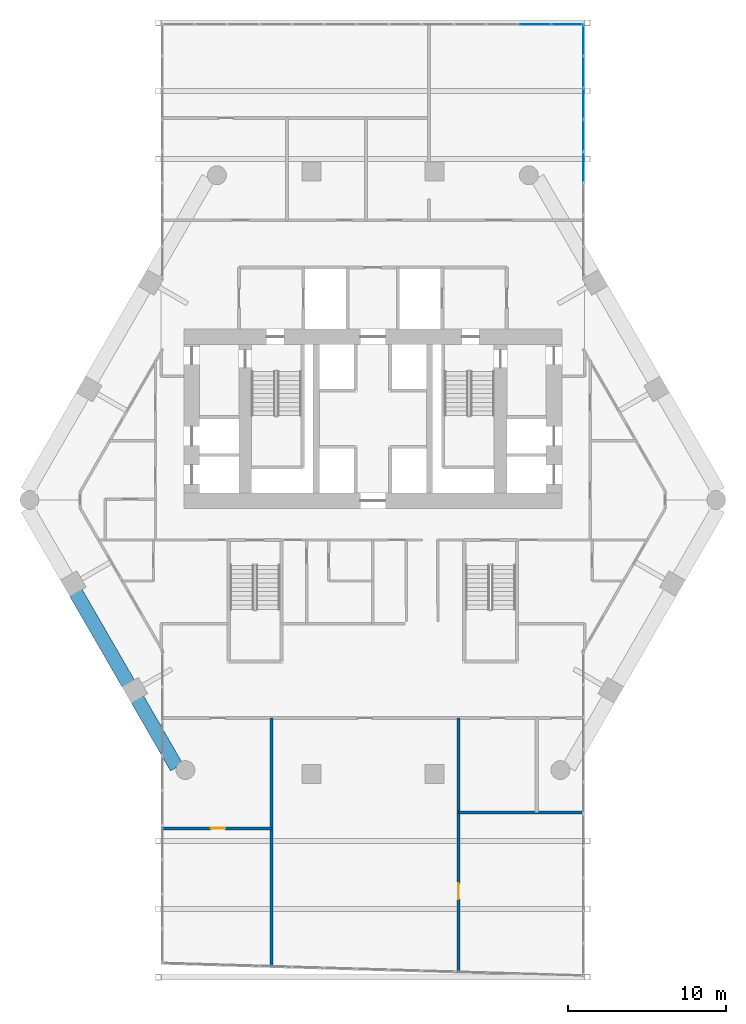
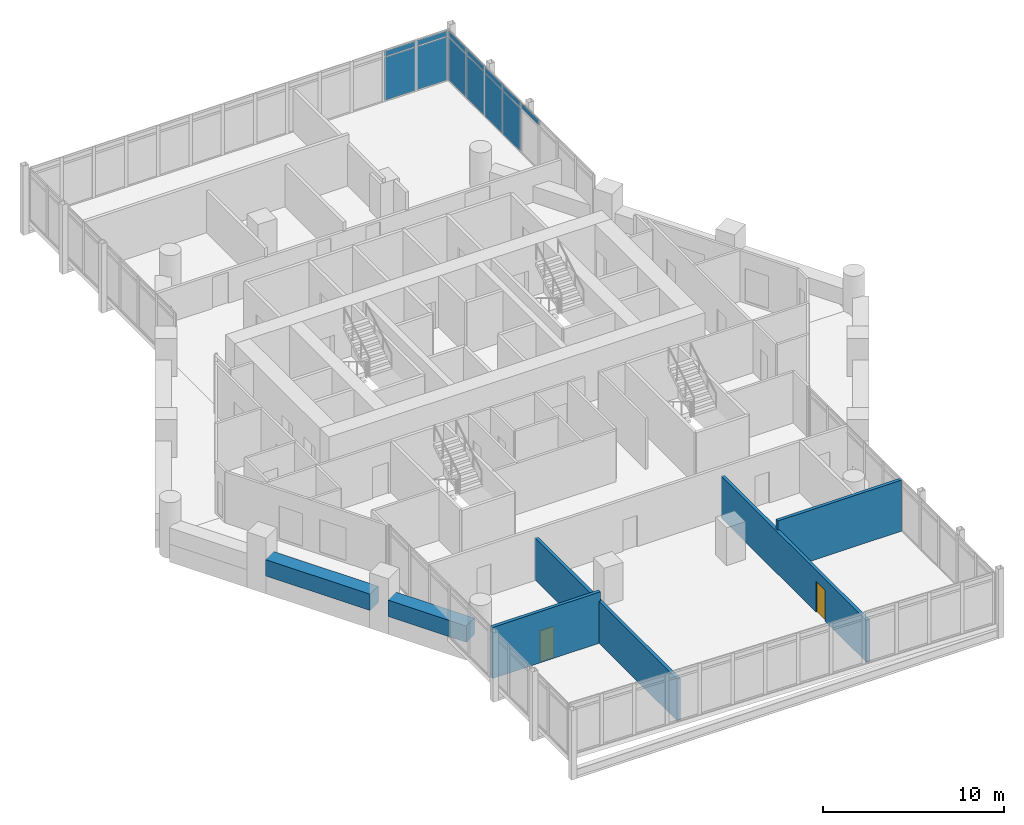
# One storey, part 22 of 28: 13 plates, 6 walls, 2 doors, 2 openings, 2 elements without a shape of their own.
"""IFC4 building model written with IfcOpenShell, lengths in metres."""

from ifc_helpers import new_model, si_unit, direction, frame, frame_2d, origin, origin_2d, place, context, subcontext, project, spatial, rectangle, extrude, material, layer, layer_set, type_object, element, fill, aggregate, save


model = new_model("IFC4")

# Units and contexts
model_context = context("Model", 3, precision=1e-05, world=origin(), true_north=direction((0.0, 1.0)))
body_context = subcontext(model_context, "Body", "Model", "MODEL_VIEW")
ifc_project = project(units=[si_unit("LENGTHUNIT", "METRE"), si_unit("AREAUNIT", "SQUARE_METRE"), si_unit("VOLUMEUNIT", "CUBIC_METRE"), si_unit("PLANEANGLEUNIT", "RADIAN"), si_unit("MASSUNIT", "GRAM", prefix="KILO")], contexts=[model_context])

# Site, building, storey
site_placement = place(None, origin())
site = spatial("IfcSite", under=ifc_project, at=site_placement, CompositionType="ELEMENT")
building_placement = place(site_placement, origin())
building = spatial("IfcBuilding", under=site, at=building_placement, Name="Ostrander Bayou Hotel Tower", CompositionType="ELEMENT")
storey_placement = place(building_placement, frame((0.0, 0.0, 142.25)))
storey = spatial("IfcBuildingStorey", under=building, at=storey_placement, Name="L35", CompositionType="ELEMENT", Elevation=142.25)

# Curtain wall, plates
ifc_material_1 = material(Name="Aluminium and clear glass", Category="aluminium")
curtain_wall_type = type_object("IfcCurtainWallType", Name="CW-BAR glazed wall", PredefinedType="NOTDEFINED", material=ifc_material_1)
curtain_wall_1_placement = place(storey_placement, origin())
curtain_wall_1 = element("IfcCurtainWall", 1, at=curtain_wall_1_placement, inside=storey, type_object=curtain_wall_type, Name="CW-BAR L35:SB3N:T", PredefinedType="NOTDEFINED")
ifc_material_2 = material(Name="Clear laminated glass", Category="glass")
ifc_layer_1 = layer(ifc_material_2, 0.028076171875)
ifc_layer_set_1 = layer_set([ifc_layer_1], Name="CW-BR glazing panel 28 mm")
plate_type = type_object("IfcPlateType", Name="CW-BR glazing panel 28 mm", PredefinedType="CURTAIN_PANEL", material=ifc_layer_set_1)
plate_1_placement = place(storey_placement, frame((10.282470703125, 29.037109375, 0.06005859375), z_axis=(0.0, 0.0, 1.0), x_axis=(1.0, 0.0, 0.0)))
plate_1 = element("IfcPlate", 2, at=plate_1_placement, type_object=plate_type, Name="CW-BAR panel 12.1", PredefinedType="CURTAIN_PANEL", context=body_context, shape_type="SweptSolid", body=[
    extrude(rectangle(XDim=1.99658203125, YDim=0.028076171875, at=origin_2d()), origin(), (0.0, 0.0, 1.0), 2.909912109375),
])
plate_2_placement = place(storey_placement, frame((10.282470703125, 29.037109375, 3.02978515625), z_axis=(0.0, 0.0, 1.0), x_axis=(1.0, 0.0, 0.0)))
plate_2 = element("IfcPlate", 3, at=plate_2_placement, type_object=plate_type, Name="CW-BAR panel 12.2", PredefinedType="CURTAIN_PANEL", context=body_context, shape_type="SweptSolid", body=[
    extrude(rectangle(XDim=1.99658203125, YDim=0.028076171875, at=origin_2d()), origin(), (0.0, 0.0, 1.0), 0.360107421875),
])
plate_3_placement = place(storey_placement, frame((12.323974609375, 29.037109375, 0.06005859375), z_axis=(0.0, 0.0, 1.0), x_axis=(1.0, 0.0, 0.0)))
plate_3 = element("IfcPlate", 4, at=plate_3_placement, type_object=plate_type, Name="CW-BAR panel 13.1", PredefinedType="CURTAIN_PANEL", context=body_context, shape_type="SweptSolid", body=[
    extrude(rectangle(XDim=1.966552734375, YDim=0.028076171875, at=origin_2d()), origin(), (0.0, 0.0, 1.0), 2.909912109375),
])
plate_4_placement = place(storey_placement, frame((12.323974609375, 29.037109375, 3.02978515625), z_axis=(0.0, 0.0, 1.0), x_axis=(1.0, 0.0, 0.0)))
plate_4 = element("IfcPlate", 5, at=plate_4_placement, type_object=plate_type, Name="CW-BAR panel 13.2", PredefinedType="CURTAIN_PANEL", context=body_context, shape_type="SweptSolid", body=[
    extrude(rectangle(XDim=1.966552734375, YDim=0.028076171875, at=origin_2d()), origin(), (0.0, 0.0, 1.0), 0.360107421875),
])
aggregate(curtain_wall_1, [plate_1, plate_2, plate_3, plate_4])

curtain_wall_2_placement = place(storey_placement, origin())
curtain_wall_2 = element("IfcCurtainWall", 6, at=curtain_wall_2_placement, inside=storey, type_object=curtain_wall_type, Name="CW-BAR L35:SB3N:W", PredefinedType="NOTDEFINED")
plate_5_placement = place(storey_placement, frame((13.3671875, 19.97216796875, 3.02978515625), z_axis=(0.0, 0.0, 1.0), x_axis=(0.0, 1.0, 0.0)))
plate_5 = element("IfcPlate", 7, at=plate_5_placement, type_object=plate_type, Name="CW-BAR panel 4.2", PredefinedType="CURTAIN_PANEL", context=body_context, shape_type="SweptSolid", body=[
    extrude(rectangle(XDim=1.954345703125, YDim=0.028076171875, at=origin_2d()), origin(), (0.0, 0.0, 1.0), 0.360107421875),
])
plate_6_placement = place(storey_placement, frame((13.3671875, 21.986572265625, 0.06005859375), z_axis=(0.0, 0.0, 1.0), x_axis=(0.0, 1.0, 0.0)))
plate_6 = element("IfcPlate", 8, at=plate_6_placement, type_object=plate_type, Name="CW-BAR panel 5.1", PredefinedType="CURTAIN_PANEL", context=body_context, shape_type="SweptSolid", body=[
    extrude(rectangle(XDim=1.954345703125, YDim=0.028076171875, at=origin_2d()), origin(), (0.0, 0.0, 1.0), 2.909912109375),
])
plate_7_placement = place(storey_placement, frame((13.3671875, 21.986572265625, 3.02978515625), z_axis=(0.0, 0.0, 1.0), x_axis=(0.0, 1.0, 0.0)))
plate_7 = element("IfcPlate", 9, at=plate_7_placement, type_object=plate_type, Name="CW-BAR panel 5.2", PredefinedType="CURTAIN_PANEL", context=body_context, shape_type="SweptSolid", body=[
    extrude(rectangle(XDim=1.954345703125, YDim=0.028076171875, at=origin_2d()), origin(), (0.0, 0.0, 1.0), 0.360107421875),
])
plate_8_placement = place(storey_placement, frame((13.3671875, 24.0009765625, 0.06005859375), z_axis=(0.0, 0.0, 1.0), x_axis=(0.0, 1.0, 0.0)))
plate_8 = element("IfcPlate", 10, at=plate_8_placement, type_object=plate_type, Name="CW-BAR panel 6.1", PredefinedType="CURTAIN_PANEL", context=body_context, shape_type="SweptSolid", body=[
    extrude(rectangle(XDim=1.954345703125, YDim=0.028076171875, at=origin_2d()), origin(), (0.0, 0.0, 1.0), 2.909912109375),
])
plate_9_placement = place(storey_placement, frame((13.3671875, 24.0009765625, 3.02978515625), z_axis=(0.0, 0.0, 1.0), x_axis=(0.0, 1.0, 0.0)))
plate_9 = element("IfcPlate", 11, at=plate_9_placement, type_object=plate_type, Name="CW-BAR panel 6.2", PredefinedType="CURTAIN_PANEL", context=body_context, shape_type="SweptSolid", body=[
    extrude(rectangle(XDim=1.954345703125, YDim=0.028076171875, at=origin_2d()), origin(), (0.0, 0.0, 1.0), 0.360107421875),
])
plate_10_placement = place(storey_placement, frame((13.3671875, 26.015380859375, 0.06005859375), z_axis=(0.0, 0.0, 1.0), x_axis=(0.0, 1.0, 0.0)))
plate_10 = element("IfcPlate", 12, at=plate_10_placement, type_object=plate_type, Name="CW-BAR panel 7.1", PredefinedType="CURTAIN_PANEL", context=body_context, shape_type="SweptSolid", body=[
    extrude(rectangle(XDim=1.954345703125, YDim=0.028076171875, at=origin_2d()), origin(), (0.0, 0.0, 1.0), 2.909912109375),
])
plate_11_placement = place(storey_placement, frame((13.3671875, 26.015380859375, 3.02978515625), z_axis=(0.0, 0.0, 1.0), x_axis=(0.0, 1.0, 0.0)))
plate_11 = element("IfcPlate", 13, at=plate_11_placement, type_object=plate_type, Name="CW-BAR panel 7.2", PredefinedType="CURTAIN_PANEL", context=body_context, shape_type="SweptSolid", body=[
    extrude(rectangle(XDim=1.954345703125, YDim=0.028076171875, at=origin_2d()), origin(), (0.0, 0.0, 1.0), 0.360107421875),
])
plate_12_placement = place(storey_placement, frame((13.3671875, 28.014892578125, 0.06005859375), z_axis=(0.0, 0.0, 1.0), x_axis=(0.0, 1.0, 0.0)))
plate_12 = element("IfcPlate", 14, at=plate_12_placement, type_object=plate_type, Name="CW-BAR panel 8.1", PredefinedType="CURTAIN_PANEL", context=body_context, shape_type="SweptSolid", body=[
    extrude(rectangle(XDim=1.924560546875, YDim=0.028076171875, at=origin_2d()), origin(), (0.0, 0.0, 1.0), 2.909912109375),
])
plate_13_placement = place(storey_placement, frame((13.3671875, 28.014892578125, 3.02978515625), z_axis=(0.0, 0.0, 1.0), x_axis=(0.0, 1.0, 0.0)))
plate_13 = element("IfcPlate", 15, at=plate_13_placement, type_object=plate_type, Name="CW-BAR panel 8.2", PredefinedType="CURTAIN_PANEL", context=body_context, shape_type="SweptSolid", body=[
    extrude(rectangle(XDim=1.924560546875, YDim=0.028076171875, at=origin_2d()), origin(), (0.0, 0.0, 1.0), 0.360107421875),
])
aggregate(curtain_wall_2, [plate_5, plate_6, plate_7, plate_8, plate_9, plate_10, plate_11, plate_12, plate_13])

# Walls
ifc_material_3 = material(Name="Limestone masonry", Category="masonry")
ifc_layer_2 = layer(ifc_material_3, 0.89990234375)
ifc_layer_set_2 = layer_set([ifc_layer_2], Name="PA2 limestone parapet 900 mm")
wall_type_1 = type_object("IfcWallType", Name="PA2 limestone parapet 900 mm", PredefinedType="PARAPET", material=ifc_layer_set_2)
wall_1_placement = place(storey_placement, frame((-18.85888671875, -7.035400390625, 0.0), z_axis=(0.0, 0.0, 1.0), x_axis=(0.499999023957, -0.866025967302, 0.0)))
element("IfcWall", 16, at=wall_1_placement, inside=storey, type_object=wall_type_1, Name="PA2 L35 SW-2", PredefinedType="PARAPET", context=body_context, shape_type="SweptSolid", body=[
    extrude(rectangle(XDim=6.67333984375, YDim=0.89990234375, at=frame_2d((3.336669921875, 0.0))), origin(), (0.0, 0.0, 1.0), 1.10009765625),
])
wall_2_placement = place(storey_placement, frame((-14.9521484375, -13.802001953125, 0.0), z_axis=(0.0, 0.0, 1.0), x_axis=(0.499974782844, -0.866039962427, 0.0)))
element("IfcWall", 17, at=wall_2_placement, inside=storey, type_object=wall_type_1, Name="PA2 L35 SW-3", PredefinedType="PARAPET", context=body_context, shape_type="SweptSolid", body=[
    extrude(rectangle(XDim=4.997314453125, YDim=0.89990234375, at=frame_2d((2.49853515625, 0.0))), origin(), (0.0, 0.0, 1.0), 1.10009765625),
])

# Wall, opening, door
ifc_material_4 = material(Name="Gypsum board partition", Category="finish")
ifc_layer_3 = layer(ifc_material_4, 0.199951171875)
ifc_layer_set_3 = layer_set([ifc_layer_3], Name="PT3 demising wall 200 mm acoustic double stud, 1 hour")
wall_type_2 = type_object("IfcWallType", Name="PT3 demising wall 200 mm acoustic double stud, 1 hour", PredefinedType="PARTITIONING", material=ifc_layer_set_3)
wall_3_placement = place(storey_placement, frame((-13.34814453125, -22.0, 0.0), z_axis=(0.0, 0.0, 1.0), x_axis=(1.0, 0.0, 0.0)))
wall_3 = element("IfcWall", 18, at=wall_3_placement, inside=storey, type_object=wall_type_2, Name="sw:L35:502", PredefinedType="PARTITIONING", context=body_context, shape_type="SweptSolid", body=[
    extrude(rectangle(XDim=6.906005859375, YDim=0.199951171875, at=frame_2d((3.453125, 0.0))), origin(), (0.0, 0.0, 1.0), 3.449951171875),
])
opening_1_placement = place(wall_3_placement, frame((3.071044921875, 0.0, 0.0)))
opening_1 = element("IfcOpeningElement", 19, at=opening_1_placement, cuts=wall_3, Name="Opening T34-1201", PredefinedType="OPENING", context=body_context, shape_type="SweptSolid", body=[
    extrude(rectangle(XDim=0.89990234375, YDim=2.10009765625, at=frame_2d((0.449951171875, 1.050048828125))), frame((0.0, 0.10009765625, 0.0), z_axis=(0.0, -1.0, 0.0), x_axis=(1.0, 0.0, 0.0)), (0.0, 0.0, 1.0), 0.199951171875),
])
ifc_material_5 = material(Name="Timber door leaf", Category="wood")
door_type_1 = type_object("IfcDoorType", Name="D8 room door 900 x 2100 mm", OperationType="SINGLE_SWING_LEFT", PredefinedType="DOOR", material=ifc_material_5)
door_1_placement = place(opening_1_placement, origin())
door_1 = element("IfcDoor", 20, at=door_1_placement, inside=storey, type_object=door_type_1, Name="dr:L35:1201", OperationType="SINGLE_SWING_LEFT", OverallHeight=2.10009765625, OverallWidth=0.89990234375, PredefinedType="DOOR", context=body_context, shape_type="SweptSolid", body=[
    extrude(rectangle(XDim=0.89990234375, YDim=2.10009765625, at=frame_2d((0.449951171875, 1.050048828125))), frame((0.0, 0.02490234375, 0.0), z_axis=(0.0, -1.0, 0.0), x_axis=(1.0, 0.0, 0.0)), (0.0, 0.0, 1.0), 0.050048828125),
])
fill(opening_1, door_1)

# Walls
wall_4_placement = place(storey_placement, frame((5.442138671875, -21.0, 0.0), z_axis=(0.0, 0.0, 1.0), x_axis=(1.0, 0.0, 0.0)))
element("IfcWall", 21, at=wall_4_placement, inside=storey, type_object=wall_type_2, Name="sw:L35:503", PredefinedType="PARTITIONING", context=body_context, shape_type="SweptSolid", body=[
    extrude(rectangle(XDim=7.906005859375, YDim=0.199951171875, at=frame_2d((3.953125, 0.0))), origin(), (0.0, 0.0, 1.0), 3.449951171875),
])
wall_5_placement = place(storey_placement, frame((-6.44189453125, -30.7392578125, 0.0), z_axis=(0.0, 0.0, 1.0), x_axis=(0.0, 1.0, 0.0)))
element("IfcWall", 22, at=wall_5_placement, inside=storey, type_object=wall_type_2, Name="sw:L35:505", PredefinedType="PARTITIONING", context=body_context, shape_type="SweptSolid", body=[
    extrude(rectangle(XDim=15.7392578125, YDim=0.199951171875, at=frame_2d((7.86962890625, 0.0))), origin(), (0.0, 0.0, 1.0), 2.828125),
])

# Wall, opening, door
wall_6_placement = place(storey_placement, frame((5.44189453125, -31.093017578125, 0.0), z_axis=(0.0, 0.0, 1.0), x_axis=(0.0, 1.0, 0.0)))
wall_6 = element("IfcWall", 23, at=wall_6_placement, inside=storey, type_object=wall_type_2, Name="sw:L35:510", PredefinedType="PARTITIONING", context=body_context, shape_type="SweptSolid", body=[
    extrude(rectangle(XDim=16.093017578125, YDim=0.199951171875, at=frame_2d((8.04638671875, 0.0))), origin(), (0.0, 0.0, 1.0), 2.828125),
])
opening_2_placement = place(wall_6_placement, frame((4.60205078125, 0.0, 0.0)))
opening_2 = element("IfcOpeningElement", 24, at=opening_2_placement, cuts=wall_6, Name="Opening T34-1202", PredefinedType="OPENING", context=body_context, shape_type="SweptSolid", body=[
    extrude(rectangle(XDim=1.0, YDim=2.10009765625, at=frame_2d((0.5, 1.050048828125))), frame((0.0, 0.10009765625, 0.0), z_axis=(0.0, -1.0, 0.0), x_axis=(1.0, 0.0, 0.0)), (0.0, 0.0, 1.0), 0.199951171875),
])
ifc_material_6 = material(Name="Timber door leaf", Category="wood")
door_type_2 = type_object("IfcDoorType", Name="D9 service door 1000 x 2100 mm, 30 minute", OperationType="SINGLE_SWING_LEFT", PredefinedType="DOOR", material=ifc_material_6)
door_2_placement = place(opening_2_placement, origin())
door_2 = element("IfcDoor", 25, at=door_2_placement, inside=storey, type_object=door_type_2, Name="dr:L35:1202", OperationType="SINGLE_SWING_RIGHT", OverallHeight=2.10009765625, OverallWidth=1.0, PredefinedType="DOOR", context=body_context, shape_type="SweptSolid", body=[
    extrude(rectangle(XDim=1.0, YDim=2.10009765625, at=frame_2d((0.5, 1.050048828125))), frame((0.0, 0.02490234375, 0.0), z_axis=(0.0, -1.0, 0.0), x_axis=(1.0, 0.0, 0.0)), (0.0, 0.0, 1.0), 0.050048828125),
])
fill(opening_2, door_2)

save(model, "model.ifc")
